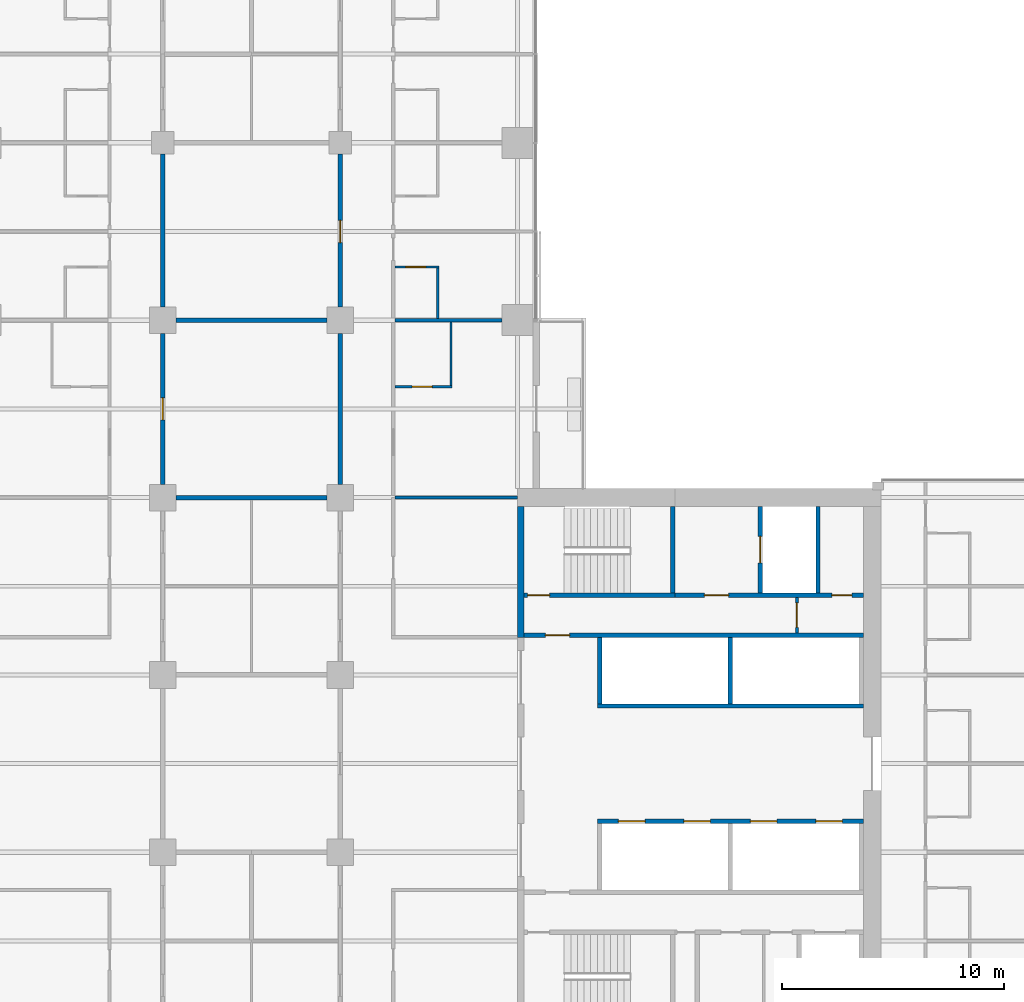
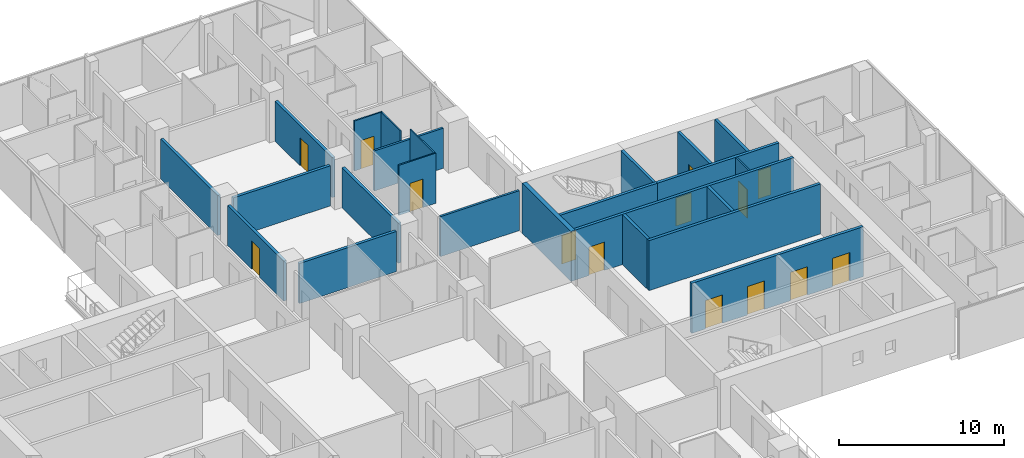
# One storey, part 21 of 29: 24 walls, 14 doors, 14 openings.
"""IFC4 building model written with IfcOpenShell, lengths in metres."""

from ifc_helpers import new_model, si_unit, direction, frame, frame_2d, origin, place, context, subcontext, project, spatial, rectangle, extrude, material, layer, layer_set, type_object, element, fill, save


model = new_model("IFC4")

# Units and contexts
model_context = context("Model", 3, precision=1e-05, world=origin(), true_north=direction((0.0, 1.0)))
body_context = subcontext(model_context, "Body", "Model", "MODEL_VIEW")
ifc_project = project(units=[si_unit("LENGTHUNIT", "METRE"), si_unit("AREAUNIT", "SQUARE_METRE"), si_unit("VOLUMEUNIT", "CUBIC_METRE"), si_unit("PLANEANGLEUNIT", "RADIAN"), si_unit("MASSUNIT", "GRAM", prefix="KILO")], contexts=[model_context])

# Site, building, storey
site_placement = place(None, origin())
site = spatial("IfcSite", under=ifc_project, at=site_placement, CompositionType="ELEMENT")
building_placement = place(site_placement, origin())
building = spatial("IfcBuilding", under=site, at=building_placement, Name="Crosswind Convention Tower", CompositionType="ELEMENT")
storey_placement = place(building_placement, frame((0.0, 0.0, 60.89990234375)))
storey = spatial("IfcBuildingStorey", under=building, at=storey_placement, Name="L09", CompositionType="ELEMENT", Elevation=60.89990234375)

# Walls
ifc_material_1 = material(Name="Concrete C50/60", Category="concrete")
ifc_layer_1 = layer(ifc_material_1, 0.300048828125)
ifc_layer_set_1 = layer_set([ifc_layer_1], Name="Concrete C50/60")
wall_type_1 = type_object("IfcWallType", Name="Concrete inner core wall 300", PredefinedType="SHEAR", material=ifc_layer_set_1)
wall_1_placement = place(storey_placement, frame((137.14990234375, 105.699951171875, 0.0), z_axis=(0.0, 0.0, 1.0), x_axis=(0.0, 1.0, 0.0)))
element("IfcWall", 1, at=wall_1_placement, inside=storey, type_object=wall_type_1, Name="Wall EP E L09", PredefinedType="SHEAR", context=body_context, shape_type="SweptSolid", body=[
    extrude(rectangle(XDim=5.900146484375, YDim=0.300048828125, at=frame_2d((2.9501953125, 0.0))), origin(), (0.0, 0.0, 1.0), 3.7001953125),
])
ifc_layer_2 = layer(ifc_material_1, 0.199951171875)
ifc_layer_set_2 = layer_set([ifc_layer_2], Name="Concrete C50/60")
wall_type_2 = type_object("IfcWallType", Name="Concrete shaft and stair wall 200", PredefinedType="SHEAR", material=ifc_layer_set_2)
for number, where, z_axis, x_axis, name in (
    (2, (140.699951171875, 102.699951171875, 0.0), (0.0, 0.0, 1.0), (0.0, 1.0, 0.0), "Wall RPEND E L09"),
    (3, (146.60009765625, 102.699951171875, 0.0), (0.0, 0.0, 1.0), (0.0, 1.0, 0.0), "Wall RPSEP E L09"),
):
    element("IfcWall", number, at=place(storey_placement, frame(where, z_axis=z_axis, x_axis=x_axis)), inside=storey, type_object=wall_type_2, Name=name, PredefinedType="SHEAR", context=body_context, shape_type="SweptSolid", body=[
        extrude(rectangle(XDim=3.0, YDim=0.199951171875, at=frame_2d((1.5, 0.0))), origin(), (0.0, 0.0, 1.0), 3.7001953125),
    ])
wall_2_placement = place(storey_placement, frame((140.60009765625, 102.60009765625, 0.0), z_axis=(0.0, 0.0, 1.0), x_axis=(1.0, 0.0, 0.0)))
element("IfcWall", 4, at=wall_2_placement, inside=storey, type_object=wall_type_2, Name="Wall RPFRONT E L09", PredefinedType="SHEAR", context=body_context, shape_type="SweptSolid", body=[
    extrude(rectangle(XDim=12.0, YDim=0.199951171875, at=frame_2d((6.0, 0.0))), origin(), (0.0, 0.0, 1.0), 3.7001953125),
])

# Wall, openings, doors
wall_3_placement = place(storey_placement, frame((140.60009765625, 97.39990234375, 0.0), z_axis=(0.0, 0.0, 1.0), x_axis=(1.0, 0.0, 0.0)))
wall_3 = element("IfcWall", 5, at=wall_3_placement, inside=storey, type_object=wall_type_2, Name="Wall RMFRONT E L09", PredefinedType="SHEAR", context=body_context, shape_type="SweptSolid", body=[
    extrude(rectangle(XDim=12.0, YDim=0.199951171875, at=frame_2d((6.0, 0.0))), origin(), (0.0, 0.0, 1.0), 3.7001953125),
])
opening_1_placement = place(wall_3_placement, frame((0.949951171875, 0.0, 0.0)))
opening_1 = element("IfcOpeningElement", 6, at=opening_1_placement, cuts=wall_3, Name="Opening LD1", PredefinedType="OPENING", context=body_context, shape_type="SweptSolid", body=[
    extrude(rectangle(XDim=1.199951171875, YDim=2.10009765625, at=frame_2d((0.60009765625, 1.050048828125))), frame((0.0, 0.10986328125, 0.0), z_axis=(0.0, -1.0, 0.0), x_axis=(1.0, 0.0, 0.0)), (0.0, 0.0, 1.0), 0.219970703125),
])
opening_2_placement = place(wall_3_placement, frame((3.89990234375, 0.0, 0.0)))
opening_2 = element("IfcOpeningElement", 7, at=opening_2_placement, cuts=wall_3, Name="Opening LD1", PredefinedType="OPENING", context=body_context, shape_type="SweptSolid", body=[
    extrude(rectangle(XDim=1.199951171875, YDim=2.10009765625, at=frame_2d((0.60009765625, 1.050048828125))), frame((0.0, 0.10986328125, 0.0), z_axis=(0.0, -1.0, 0.0), x_axis=(1.0, 0.0, 0.0)), (0.0, 0.0, 1.0), 0.219970703125),
])
opening_3_placement = place(wall_3_placement, frame((6.89990234375, 0.0, 0.0)))
opening_3 = element("IfcOpeningElement", 8, at=opening_3_placement, cuts=wall_3, Name="Opening LD1", PredefinedType="OPENING", context=body_context, shape_type="SweptSolid", body=[
    extrude(rectangle(XDim=1.199951171875, YDim=2.10009765625, at=frame_2d((0.60009765625, 1.050048828125))), frame((0.0, 0.10986328125, 0.0), z_axis=(0.0, -1.0, 0.0), x_axis=(1.0, 0.0, 0.0)), (0.0, 0.0, 1.0), 0.219970703125),
])
opening_4_placement = place(wall_3_placement, frame((9.85009765625, 0.0, 0.0)))
opening_4 = element("IfcOpeningElement", 9, at=opening_4_placement, cuts=wall_3, Name="Opening LD1", PredefinedType="OPENING", context=body_context, shape_type="SweptSolid", body=[
    extrude(rectangle(XDim=1.199951171875, YDim=2.10009765625, at=frame_2d((0.60009765625, 1.050048828125))), frame((0.0, 0.10986328125, 0.0), z_axis=(0.0, -1.0, 0.0), x_axis=(1.0, 0.0, 0.0)), (0.0, 0.0, 1.0), 0.219970703125),
])
ifc_material_2 = material(Name="Stainless steel", Category="steel")
door_type_1 = type_object("IfcDoorType", Name="Lift landing door 1200x2100", OperationType="DOUBLE_DOOR_SLIDING", PredefinedType="DOOR", material=ifc_material_2)
door_1_placement = place(opening_1_placement, origin())
door_1 = element("IfcDoor", 10, at=door_1_placement, inside=storey, type_object=door_type_1, Name="Landing door H1 L09", ObjectType="LD1", OperationType="DOUBLE_DOOR_SLIDING", OverallHeight=2.10009765625, OverallWidth=1.199951171875, PredefinedType="DOOR", context=body_context, shape_type="SweptSolid", body=[
    extrude(rectangle(XDim=1.199951171875, YDim=2.10009765625, at=frame_2d((0.60009765625, 1.050048828125))), frame((0.0, 0.02490234375, 0.0), z_axis=(0.0, -1.0, 0.0), x_axis=(1.0, 0.0, 0.0)), (0.0, 0.0, 1.0), 0.050048828125),
])
fill(opening_1, door_1)
door_2_placement = place(opening_2_placement, origin())
door_2 = element("IfcDoor", 11, at=door_2_placement, inside=storey, type_object=door_type_1, Name="Landing door H2 L09", ObjectType="LD1", OperationType="DOUBLE_DOOR_SLIDING", OverallHeight=2.10009765625, OverallWidth=1.199951171875, PredefinedType="DOOR", context=body_context, shape_type="SweptSolid", body=[
    extrude(rectangle(XDim=1.199951171875, YDim=2.10009765625, at=frame_2d((0.60009765625, 1.050048828125))), frame((0.0, 0.02490234375, 0.0), z_axis=(0.0, -1.0, 0.0), x_axis=(1.0, 0.0, 0.0)), (0.0, 0.0, 1.0), 0.050048828125),
])
fill(opening_2, door_2)
door_3_placement = place(opening_3_placement, origin())
door_3 = element("IfcDoor", 12, at=door_3_placement, inside=storey, type_object=door_type_1, Name="Landing door H3 L09", ObjectType="LD1", OperationType="DOUBLE_DOOR_SLIDING", OverallHeight=2.10009765625, OverallWidth=1.199951171875, PredefinedType="DOOR", context=body_context, shape_type="SweptSolid", body=[
    extrude(rectangle(XDim=1.199951171875, YDim=2.10009765625, at=frame_2d((0.60009765625, 1.050048828125))), frame((0.0, 0.02490234375, 0.0), z_axis=(0.0, -1.0, 0.0), x_axis=(1.0, 0.0, 0.0)), (0.0, 0.0, 1.0), 0.050048828125),
])
fill(opening_3, door_3)
door_4_placement = place(opening_4_placement, origin())
door_4 = element("IfcDoor", 13, at=door_4_placement, inside=storey, type_object=door_type_1, Name="Landing door H4 L09", ObjectType="LD1", OperationType="DOUBLE_DOOR_SLIDING", OverallHeight=2.10009765625, OverallWidth=1.199951171875, PredefinedType="DOOR", context=body_context, shape_type="SweptSolid", body=[
    extrude(rectangle(XDim=1.199951171875, YDim=2.10009765625, at=frame_2d((0.60009765625, 1.050048828125))), frame((0.0, 0.02490234375, 0.0), z_axis=(0.0, -1.0, 0.0), x_axis=(1.0, 0.0, 0.0)), (0.0, 0.0, 1.0), 0.050048828125),
])
fill(opening_4, door_4)

# Wall, opening, door
wall_4_placement = place(storey_placement, frame((137.300048828125, 105.800048828125, 0.0), z_axis=(0.0, 0.0, 1.0), x_axis=(1.0, 0.0, 0.0)))
wall_4 = element("IfcWall", 14, at=wall_4_placement, inside=storey, type_object=wall_type_2, Name="Wall HP E L09", PredefinedType="SHEAR", context=body_context, shape_type="SweptSolid", body=[
    extrude(rectangle(XDim=15.300048828125, YDim=0.199951171875, at=frame_2d((7.64990234375, 0.0))), origin(), (0.0, 0.0, 1.0), 3.7001953125),
])
opening_5_placement = place(wall_4_placement, frame((0.949951171875, 0.0, 0.0)))
opening_5 = element("IfcOpeningElement", 15, at=opening_5_placement, cuts=wall_4, Name="Opening D104", PredefinedType="OPENING", context=body_context, shape_type="SweptSolid", body=[
    extrude(rectangle(XDim=1.10009765625, YDim=2.10009765625, at=frame_2d((0.550048828125, 1.050048828125))), frame((0.0, 0.10986328125, 0.0), z_axis=(0.0, -1.0, 0.0), x_axis=(1.0, 0.0, 0.0)), (0.0, 0.0, 1.0), 0.219970703125),
])
ifc_material_3 = material(Name="Steel fire door", Category="steel")
door_type_2 = type_object("IfcDoorType", Name="Fire-rated single door 1100x2100", OperationType="NOTDEFINED", PredefinedType="DOOR", material=ifc_material_3)
door_5_placement = place(opening_5_placement, origin())
door_5 = element("IfcDoor", 16, at=door_5_placement, inside=storey, type_object=door_type_2, Name="Corridor door L09", ObjectType="D104", OperationType="SINGLE_SWING_LEFT", OverallHeight=2.10009765625, OverallWidth=1.10009765625, PredefinedType="DOOR", context=body_context, shape_type="SweptSolid", body=[
    extrude(rectangle(XDim=1.10009765625, YDim=2.10009765625, at=frame_2d((0.550048828125, 1.050048828125))), frame((0.0, 0.02490234375, 0.0), z_axis=(0.0, -1.0, 0.0), x_axis=(1.0, 0.0, 0.0)), (0.0, 0.0, 1.0), 0.050048828125),
])
fill(opening_5, door_5)

# Wall
wall_5_placement = place(storey_placement, frame((144.0, 107.699951171875, 0.0), z_axis=(0.0, 0.0, 1.0), x_axis=(0.0, 1.0, 0.0)))
element("IfcWall", 17, at=wall_5_placement, inside=storey, type_object=wall_type_2, Name="Wall PSE E L09", PredefinedType="SHEAR", context=body_context, shape_type="SweptSolid", body=[
    extrude(rectangle(XDim=3.900146484375, YDim=0.199951171875, at=frame_2d((1.9501953125, 0.0))), origin(), (0.0, 0.0, 1.0), 3.7001953125),
])

# Wall, opening, door
wall_6_placement = place(storey_placement, frame((147.949951171875, 107.699951171875, 0.0), z_axis=(0.0, 0.0, 1.0), x_axis=(0.0, 1.0, 0.0)))
wall_6 = element("IfcWall", 18, at=wall_6_placement, inside=storey, type_object=wall_type_2, Name="Wall PFLW E L09", PredefinedType="SHEAR", context=body_context, shape_type="SweptSolid", body=[
    extrude(rectangle(XDim=3.900146484375, YDim=0.199951171875, at=frame_2d((1.9501953125, 0.0))), origin(), (0.0, 0.0, 1.0), 3.7001953125),
])
opening_6_placement = place(wall_6_placement, frame((1.35009765625, 0.0, 0.0)))
opening_6 = element("IfcOpeningElement", 19, at=opening_6_placement, cuts=wall_6, Name="Opening LD1", PredefinedType="OPENING", context=body_context, shape_type="SweptSolid", body=[
    extrude(rectangle(XDim=1.199951171875, YDim=2.10009765625, at=frame_2d((0.60009765625, 1.050048828125))), frame((0.0, 0.10986328125, 0.0), z_axis=(0.0, -1.0, 0.0), x_axis=(1.0, 0.0, 0.0)), (0.0, 0.0, 1.0), 0.219970703125),
])
door_6_placement = place(opening_6_placement, origin())
door_6 = element("IfcDoor", 20, at=door_6_placement, inside=storey, type_object=door_type_1, Name="Landing door FF1 L09", ObjectType="LD1", OperationType="DOUBLE_DOOR_SLIDING", OverallHeight=2.10009765625, OverallWidth=1.199951171875, PredefinedType="DOOR", context=body_context, shape_type="SweptSolid", body=[
    extrude(rectangle(XDim=1.199951171875, YDim=2.10009765625, at=frame_2d((0.60009765625, 1.050048828125))), frame((0.0, 0.02490234375, 0.0), z_axis=(0.0, -1.0, 0.0), x_axis=(1.0, 0.0, 0.0)), (0.0, 0.0, 1.0), 0.050048828125),
])
fill(opening_6, door_6)

# Wall
wall_7_placement = place(storey_placement, frame((150.550048828125, 107.699951171875, 0.0), z_axis=(0.0, 0.0, 1.0), x_axis=(0.0, 1.0, 0.0)))
element("IfcWall", 21, at=wall_7_placement, inside=storey, type_object=wall_type_2, Name="Wall PFSE E L09", PredefinedType="SHEAR", context=body_context, shape_type="SweptSolid", body=[
    extrude(rectangle(XDim=3.900146484375, YDim=0.199951171875, at=frame_2d((1.9501953125, 0.0))), origin(), (0.0, 0.0, 1.0), 3.7001953125),
])

# Wall, opening, door
wall_8_placement = place(storey_placement, frame((137.300048828125, 107.60009765625, 0.0), z_axis=(0.0, 0.0, 1.0), x_axis=(1.0, 0.0, 0.0)))
wall_8 = element("IfcWall", 22, at=wall_8_placement, inside=storey, type_object=wall_type_2, Name="Wall PCW E L09", PredefinedType="SHEAR", context=body_context, shape_type="SweptSolid", body=[
    extrude(rectangle(XDim=6.800048828125, YDim=0.199951171875, at=frame_2d((3.39990234375, 0.0))), origin(), (0.0, 0.0, 1.0), 3.7001953125),
])
opening_7_placement = place(wall_8_placement, frame((0.14990234375, 0.0, 0.0)))
opening_7 = element("IfcOpeningElement", 23, at=opening_7_placement, cuts=wall_8, Name="Opening D103", PredefinedType="OPENING", context=body_context, shape_type="SweptSolid", body=[
    extrude(rectangle(XDim=1.0, YDim=2.10009765625, at=frame_2d((0.5, 1.050048828125))), frame((0.0, 0.10986328125, 0.0), z_axis=(0.0, -1.0, 0.0), x_axis=(1.0, 0.0, 0.0)), (0.0, 0.0, 1.0), 0.219970703125),
])
door_type_3 = type_object("IfcDoorType", Name="Fire-rated single door 1000x2100", OperationType="NOTDEFINED", PredefinedType="DOOR", material=ifc_material_3)
door_7_placement = place(opening_7_placement, origin())
door_7 = element("IfcDoor", 24, at=door_7_placement, inside=storey, type_object=door_type_3, Name="Stair ST1 door L09", ObjectType="D103", OperationType="SINGLE_SWING_LEFT", OverallHeight=2.10009765625, OverallWidth=1.0, PredefinedType="DOOR", context=body_context, shape_type="SweptSolid", body=[
    extrude(rectangle(XDim=1.0, YDim=2.10009765625, at=frame_2d((0.5, 1.050048828125))), frame((0.0, 0.02490234375, 0.0), z_axis=(0.0, -1.0, 0.0), x_axis=(1.0, 0.0, 0.0)), (0.0, 0.0, 1.0), 0.050048828125),
])
fill(opening_7, door_7)

# Wall, openings, doors
wall_9_placement = place(storey_placement, frame((144.10009765625, 107.60009765625, 0.0), z_axis=(0.0, 0.0, 1.0), x_axis=(1.0, 0.0, 0.0)))
wall_9 = element("IfcWall", 25, at=wall_9_placement, inside=storey, type_object=wall_type_2, Name="Wall PCX E L09", PredefinedType="SHEAR", context=body_context, shape_type="SweptSolid", body=[
    extrude(rectangle(XDim=8.5, YDim=0.199951171875, at=frame_2d((4.25, 0.0))), origin(), (0.0, 0.0, 1.0), 3.7001953125),
])
opening_8_placement = place(wall_9_placement, frame((1.324951171875, 0.0, 0.0)))
opening_8 = element("IfcOpeningElement", 26, at=opening_8_placement, cuts=wall_9, Name="Opening D104", PredefinedType="OPENING", context=body_context, shape_type="SweptSolid", body=[
    extrude(rectangle(XDim=1.10009765625, YDim=2.10009765625, at=frame_2d((0.550048828125, 1.050048828125))), frame((0.0, 0.10986328125, 0.0), z_axis=(0.0, -1.0, 0.0), x_axis=(1.0, 0.0, 0.0)), (0.0, 0.0, 1.0), 0.219970703125),
])
opening_9_placement = place(wall_9_placement, frame((7.074951171875, 0.0, 0.0)))
opening_9 = element("IfcOpeningElement", 27, at=opening_9_placement, cuts=wall_9, Name="Opening D106", PredefinedType="OPENING", context=body_context, shape_type="SweptSolid", body=[
    extrude(rectangle(XDim=0.89990234375, YDim=2.10009765625, at=frame_2d((0.449951171875, 1.050048828125))), frame((0.0, 0.10986328125, 0.0), z_axis=(0.0, -1.0, 0.0), x_axis=(1.0, 0.0, 0.0)), (0.0, 0.0, 1.0), 0.219970703125),
])
door_8_placement = place(opening_8_placement, origin())
door_8 = element("IfcDoor", 28, at=door_8_placement, inside=storey, type_object=door_type_2, Name="Fire-fighting lobby FF1 door L09", ObjectType="D104", OperationType="SINGLE_SWING_RIGHT", OverallHeight=2.10009765625, OverallWidth=1.10009765625, PredefinedType="DOOR", context=body_context, shape_type="SweptSolid", body=[
    extrude(rectangle(XDim=1.10009765625, YDim=2.10009765625, at=frame_2d((0.550048828125, 1.050048828125))), frame((0.0, 0.02490234375, 0.0), z_axis=(0.0, -1.0, 0.0), x_axis=(1.0, 0.0, 0.0)), (0.0, 0.0, 1.0), 0.050048828125),
])
fill(opening_8, door_8)
ifc_material_4 = material(Name="Timber door", Category="wood")
door_type_4 = type_object("IfcDoorType", Name="Single leaf door 900x2100", OperationType="NOTDEFINED", PredefinedType="DOOR", material=ifc_material_4)
door_9_placement = place(opening_9_placement, origin())
door_9 = element("IfcDoor", 29, at=door_9_placement, inside=storey, type_object=door_type_4, Name="Door to telecoms room L09", ObjectType="D106", OperationType="SINGLE_SWING_RIGHT", OverallHeight=2.10009765625, OverallWidth=0.89990234375, PredefinedType="DOOR", context=body_context, shape_type="SweptSolid", body=[
    extrude(rectangle(XDim=0.89990234375, YDim=2.10009765625, at=frame_2d((0.449951171875, 1.050048828125))), frame((0.0, 0.02490234375, 0.0), z_axis=(0.0, -1.0, 0.0), x_axis=(1.0, 0.0, 0.0)), (0.0, 0.0, 1.0), 0.050048828125),
])
fill(opening_9, door_9)

# Wall, opening, door
ifc_material_5 = material(Name="Gypsum plasterboard partition", Category="gypsum")
ifc_layer_3 = layer(ifc_material_5, 0.125)
ifc_layer_set_3 = layer_set([ifc_layer_3], Name="Drywall partition wall 125")
wall_type_3 = type_object("IfcWallType", Name="Drywall partition wall 125", PredefinedType="PARTITIONING", material=ifc_layer_set_3)
wall_10_placement = place(storey_placement, frame((149.60009765625, 105.89990234375, 0.0), z_axis=(0.0, 0.0, 1.0), x_axis=(0.0, 1.0, 0.0)))
wall_10 = element("IfcWall", 30, at=wall_10_placement, inside=storey, type_object=wall_type_3, Name="Wall PXC1 E L09", PredefinedType="PARTITIONING", context=body_context, shape_type="SweptSolid", body=[
    extrude(rectangle(XDim=1.60009765625, YDim=0.125, at=frame_2d((0.800048828125, 0.0))), origin(), (0.0, 0.0, 1.0), 3.7001953125),
])
opening_10_placement = place(wall_10_placement, frame((0.25, 0.0, 0.0)))
opening_10 = element("IfcOpeningElement", 31, at=opening_10_placement, cuts=wall_10, Name="Opening D104", PredefinedType="OPENING", context=body_context, shape_type="SweptSolid", body=[
    extrude(rectangle(XDim=1.10009765625, YDim=2.10009765625, at=frame_2d((0.550048828125, 1.050048828125))), frame((0.0, 0.072509765625, 0.0), z_axis=(0.0, -1.0, 0.0), x_axis=(1.0, 0.0, 0.0)), (0.0, 0.0, 1.0), 0.14501953125),
])
door_10_placement = place(opening_10_placement, origin())
door_10 = element("IfcDoor", 32, at=door_10_placement, inside=storey, type_object=door_type_2, Name="Corridor smoke door L09", ObjectType="D104", OperationType="SINGLE_SWING_RIGHT", OverallHeight=2.10009765625, OverallWidth=1.10009765625, PredefinedType="DOOR", context=body_context, shape_type="SweptSolid", body=[
    extrude(rectangle(XDim=1.10009765625, YDim=2.10009765625, at=frame_2d((0.550048828125, 1.050048828125))), frame((0.0, 0.02490234375, 0.0), z_axis=(0.0, -1.0, 0.0), x_axis=(1.0, 0.0, 0.0)), (0.0, 0.0, 1.0), 0.050048828125),
])
fill(opening_10, door_10)

# Walls
ifc_material_6 = material(Name="Acoustic plasterboard partition", Category="gypsum")
ifc_layer_4 = layer(ifc_material_6, 0.14990234375)
ifc_layer_set_4 = layer_set([ifc_layer_4], Name="GUEST ROOM WALL 150")
wall_type_4 = type_object("IfcWallType", Name="GUEST ROOM WALL 150", PredefinedType="PARTITIONING", material=ifc_layer_set_4)
wall_11_placement = place(storey_placement, frame((131.47509765625, 112.0, 0.0), z_axis=(0.0, 0.0, 1.0), x_axis=(1.0, 0.0, 0.0)))
element("IfcWall", 33, at=wall_11_placement, inside=storey, type_object=wall_type_4, Name="Guest Room Wall 63", PredefinedType="PARTITIONING", context=body_context, shape_type="SweptSolid", body=[
    extrude(rectangle(XDim=5.52490234375, YDim=0.14990234375, at=frame_2d((2.762451171875, 0.0))), origin(), (0.0, 0.0, 1.0), 2.95654296875),
])
wall_12_placement = place(storey_placement, frame((131.47509765625, 120.0, 0.0), z_axis=(0.0, 0.0, 1.0), x_axis=(1.0, 0.0, 0.0)))
element("IfcWall", 34, at=wall_12_placement, inside=storey, type_object=wall_type_4, Name="Guest Room Wall 68", PredefinedType="PARTITIONING", context=body_context, shape_type="SweptSolid", body=[
    extrude(rectangle(XDim=4.824951171875, YDim=0.14990234375, at=frame_2d((2.41259765625, 0.0))), origin(), (0.0, 0.0, 1.0), 2.9599609375),
])
ifc_material_7 = material(Name="Double plasterboard partition", Category="gypsum")
ifc_layer_5 = layer(ifc_material_7, 0.199951171875)
ifc_layer_set_5 = layer_set([ifc_layer_5], Name="HALL WALL 200")
wall_type_5 = type_object("IfcWallType", Name="HALL WALL 200", PredefinedType="PARTITIONING", material=ifc_layer_set_5)
for number, where, z_axis, x_axis, name in (
    (35, (121.60009765625, 112.0, 0.0), (0.0, 0.0, 1.0), (1.0, 0.0, 0.0), "Hall Wall 62"),
    (36, (121.60009765625, 120.0, 0.0), (0.0, 0.0, 1.0), (1.0, 0.0, 0.0), "Hall Wall 67"),
):
    element("IfcWall", number, at=place(storey_placement, frame(where, z_axis=z_axis, x_axis=x_axis)), inside=storey, type_object=wall_type_5, Name=name, PredefinedType="PARTITIONING", context=body_context, shape_type="SweptSolid", body=[
        extrude(rectangle(XDim=6.7998046875, YDim=0.199951171875, at=frame_2d((3.39990234375, 0.0))), origin(), (0.0, 0.0, 1.0), 2.9599609375),
    ])

# Wall, opening, door
wall_13_placement = place(storey_placement, frame((121.0, 112.60009765625, 0.0), z_axis=(0.0, 0.0, 1.0), x_axis=(0.0, 1.0, 0.0)))
wall_13 = element("IfcWall", 37, at=wall_13_placement, inside=storey, type_object=wall_type_5, Name="Hall Wall 115", PredefinedType="PARTITIONING", context=body_context, shape_type="SweptSolid", body=[
    extrude(rectangle(XDim=6.7998046875, YDim=0.199951171875, at=frame_2d((3.39990234375, 0.0))), origin(), (0.0, 0.0, 1.0), 2.9599609375),
])
opening_11_placement = place(wall_13_placement, frame((2.89990234375, 0.0, 0.0)))
opening_11 = element("IfcOpeningElement", 38, at=opening_11_placement, cuts=wall_13, Name="Opening 09.084", PredefinedType="OPENING", context=body_context, shape_type="SweptSolid", body=[
    extrude(rectangle(XDim=1.0, YDim=2.10009765625, at=frame_2d((0.5, 1.050048828125))), frame((0.0, 0.10986328125, 0.0), z_axis=(0.0, -1.0, 0.0), x_axis=(1.0, 0.0, 0.0)), (0.0, 0.0, 1.0), 0.219970703125),
])
ifc_material_8 = material(Name="Timber fire door", Category="wood")
door_type_5 = type_object("IfcDoorType", Name="MEETING ROOM DOOR 1000X2100", OperationType="NOTDEFINED", PredefinedType="DOOR", material=ifc_material_8)
door_11_placement = place(opening_11_placement, origin())
door_11 = element("IfcDoor", 39, at=door_11_placement, inside=storey, type_object=door_type_5, Name="Door 09.084", ObjectType="D13", OperationType="SINGLE_SWING_RIGHT", OverallHeight=2.10009765625, OverallWidth=1.0, PredefinedType="DOOR", context=body_context, shape_type="SweptSolid", body=[
    extrude(rectangle(XDim=1.0, YDim=2.10009765625, at=frame_2d((0.5, 1.050048828125))), frame((0.0, 0.02490234375, 0.0), z_axis=(0.0, -1.0, 0.0), x_axis=(1.0, 0.0, 0.0)), (0.0, 0.0, 1.0), 0.050048828125),
])
fill(opening_11, door_11)

# Walls
wall_14_placement = place(storey_placement, frame((121.0, 120.60009765625, 0.0), z_axis=(0.0, 0.0, 1.0), x_axis=(0.0, 1.0, 0.0)))
element("IfcWall", 40, at=wall_14_placement, inside=storey, type_object=wall_type_5, Name="Hall Wall 116", PredefinedType="PARTITIONING", context=body_context, shape_type="SweptSolid", body=[
    extrude(rectangle(XDim=6.89990234375, YDim=0.199951171875, at=frame_2d((3.449951171875, 0.0))), origin(), (0.0, 0.0, 1.0), 2.9599609375),
])
wall_15_placement = place(storey_placement, frame((129.0, 112.60009765625, 0.0), z_axis=(0.0, 0.0, 1.0), x_axis=(0.0, 1.0, 0.0)))
element("IfcWall", 41, at=wall_15_placement, inside=storey, type_object=wall_type_5, Name="Hall Wall 135", PredefinedType="PARTITIONING", context=body_context, shape_type="SweptSolid", body=[
    extrude(rectangle(XDim=6.7998046875, YDim=0.199951171875, at=frame_2d((3.39990234375, 0.0))), origin(), (0.0, 0.0, 1.0), 2.9599609375),
])

# Wall, opening, door
wall_16_placement = place(storey_placement, frame((129.0, 120.60009765625, 0.0), z_axis=(0.0, 0.0, 1.0), x_axis=(0.0, 1.0, 0.0)))
wall_16 = element("IfcWall", 42, at=wall_16_placement, inside=storey, type_object=wall_type_5, Name="Hall Wall 136", PredefinedType="PARTITIONING", context=body_context, shape_type="SweptSolid", body=[
    extrude(rectangle(XDim=6.89990234375, YDim=0.199951171875, at=frame_2d((3.449951171875, 0.0))), origin(), (0.0, 0.0, 1.0), 2.9599609375),
])
opening_12_placement = place(wall_16_placement, frame((2.89990234375, 0.0, 0.0)))
opening_12 = element("IfcOpeningElement", 43, at=opening_12_placement, cuts=wall_16, Name="Opening 09.085", PredefinedType="OPENING", context=body_context, shape_type="SweptSolid", body=[
    extrude(rectangle(XDim=1.0, YDim=2.10009765625, at=frame_2d((0.5, 1.050048828125))), frame((0.0, 0.10986328125, 0.0), z_axis=(0.0, -1.0, 0.0), x_axis=(1.0, 0.0, 0.0)), (0.0, 0.0, 1.0), 0.219970703125),
])
door_12_placement = place(opening_12_placement, frame((1.0, 0.0, 0.0), z_axis=(0.0, 0.0, 1.0), x_axis=(-1.0, 0.0, 0.0)))
door_12 = element("IfcDoor", 44, at=door_12_placement, inside=storey, type_object=door_type_5, Name="Door 09.085", ObjectType="D13", OperationType="SINGLE_SWING_RIGHT", OverallHeight=2.10009765625, OverallWidth=1.0, PredefinedType="DOOR", context=body_context, shape_type="SweptSolid", body=[
    extrude(rectangle(XDim=1.0, YDim=2.10009765625, at=frame_2d((0.5, 1.050048828125))), frame((0.0, 0.02490234375, 0.0), z_axis=(0.0, -1.0, 0.0), x_axis=(1.0, 0.0, 0.0)), (0.0, 0.0, 1.0), 0.050048828125),
])
fill(opening_12, door_12)

ifc_material_9 = material(Name="Water-resistant plasterboard partition", Category="gypsum")
ifc_layer_6 = layer(ifc_material_9, 0.10009765625)
ifc_layer_set_6 = layer_set([ifc_layer_6], Name="WET ROOM PARTITION 100")
wall_type_6 = type_object("IfcWallType", Name="WET ROOM PARTITION 100", PredefinedType="PLUMBINGWALL", material=ifc_layer_set_6)
wall_17_placement = place(storey_placement, frame((131.47509765625, 117.0, 0.0), z_axis=(0.0, 0.0, 1.0), x_axis=(1.0, 0.0, 0.0)))
wall_17 = element("IfcWall", 45, at=wall_17_placement, inside=storey, type_object=wall_type_6, Name="Wet Room Partition 65", PredefinedType="PLUMBINGWALL", context=body_context, shape_type="SweptSolid", body=[
    extrude(rectangle(XDim=2.574951171875, YDim=0.10009765625, at=frame_2d((1.28759765625, 0.0))), origin(), (0.0, 0.0, 1.0), 3.7001953125),
])
opening_13_placement = place(wall_17_placement, frame((0.77490234375, 0.0, 0.0)))
opening_13 = element("IfcOpeningElement", 46, at=opening_13_placement, cuts=wall_17, Name="Opening 09.006", PredefinedType="OPENING", context=body_context, shape_type="SweptSolid", body=[
    extrude(rectangle(XDim=0.89990234375, YDim=2.10009765625, at=frame_2d((0.449951171875, 1.050048828125))), frame((0.0, 0.06005859375, 0.0), z_axis=(0.0, -1.0, 0.0), x_axis=(1.0, 0.0, 0.0)), (0.0, 0.0, 1.0), 0.1201171875),
])
door_type_6 = type_object("IfcDoorType", Name="EN-SUITE DOOR 900X2100", OperationType="NOTDEFINED", PredefinedType="DOOR", material=ifc_material_4)
door_13_placement = place(opening_13_placement, origin())
door_13 = element("IfcDoor", 47, at=door_13_placement, inside=storey, type_object=door_type_6, Name="Door 09.006", ObjectType="D2", OperationType="SINGLE_SWING_RIGHT", OverallHeight=2.10009765625, OverallWidth=0.89990234375, PredefinedType="DOOR", context=body_context, shape_type="SweptSolid", body=[
    extrude(rectangle(XDim=0.89990234375, YDim=2.10009765625, at=frame_2d((0.449951171875, 1.050048828125))), frame((0.0, 0.02490234375, 0.0), z_axis=(0.0, -1.0, 0.0), x_axis=(1.0, 0.0, 0.0)), (0.0, 0.0, 1.0), 0.050048828125),
])
fill(opening_13, door_13)

wall_18_placement = place(storey_placement, frame((131.47509765625, 122.39990234375, 0.0), z_axis=(0.0, 0.0, 1.0), x_axis=(1.0, 0.0, 0.0)))
wall_18 = element("IfcWall", 48, at=wall_18_placement, inside=storey, type_object=wall_type_6, Name="Wet Room Partition 70", PredefinedType="PLUMBINGWALL", context=body_context, shape_type="SweptSolid", body=[
    extrude(rectangle(XDim=1.974853515625, YDim=0.10009765625, at=frame_2d((0.9873046875, 0.0))), origin(), (0.0, 0.0, 1.0), 3.7001953125),
])
opening_14_placement = place(wall_18_placement, frame((0.47509765625, 0.0, 0.0)))
opening_14 = element("IfcOpeningElement", 49, at=opening_14_placement, cuts=wall_18, Name="Opening 09.008", PredefinedType="OPENING", context=body_context, shape_type="SweptSolid", body=[
    extrude(rectangle(XDim=0.89990234375, YDim=2.10009765625, at=frame_2d((0.449951171875, 1.050048828125))), frame((0.0, 0.06005859375, 0.0), z_axis=(0.0, -1.0, 0.0), x_axis=(1.0, 0.0, 0.0)), (0.0, 0.0, 1.0), 0.1201171875),
])
door_14_placement = place(opening_14_placement, frame((0.89990234375, 0.0, 0.0), z_axis=(0.0, 0.0, 1.0), x_axis=(-1.0, 0.0, 0.0)))
door_14 = element("IfcDoor", 50, at=door_14_placement, inside=storey, type_object=door_type_6, Name="Door 09.008", ObjectType="D2", OperationType="SINGLE_SWING_LEFT", OverallHeight=2.10009765625, OverallWidth=0.89990234375, PredefinedType="DOOR", context=body_context, shape_type="SweptSolid", body=[
    extrude(rectangle(XDim=0.89990234375, YDim=2.10009765625, at=frame_2d((0.449951171875, 1.050048828125))), frame((0.0, 0.02490234375, 0.0), z_axis=(0.0, -1.0, 0.0), x_axis=(1.0, 0.0, 0.0)), (0.0, 0.0, 1.0), 0.050048828125),
])
fill(opening_14, door_14)

# Walls
wall_19_placement = place(storey_placement, frame((133.39990234375, 120.074951171875, 0.0), z_axis=(0.0, 0.0, 1.0), x_axis=(0.0, 1.0, 0.0)))
element("IfcWall", 51, at=wall_19_placement, inside=storey, type_object=wall_type_6, Name="Wet Room Partition 147", PredefinedType="PLUMBINGWALL", context=body_context, shape_type="SweptSolid", body=[
    extrude(rectangle(XDim=2.275146484375, YDim=0.10009765625, at=frame_2d((1.1376953125, 0.0))), origin(), (0.0, 0.0, 1.0), 3.7001953125),
])
wall_20_placement = place(storey_placement, frame((134.0, 117.050048828125, 0.0), z_axis=(0.0, 0.0, 1.0), x_axis=(0.0, 1.0, 0.0)))
element("IfcWall", 52, at=wall_20_placement, inside=storey, type_object=wall_type_6, Name="Wet Room Partition 152", PredefinedType="PLUMBINGWALL", context=body_context, shape_type="SweptSolid", body=[
    extrude(rectangle(XDim=2.875, YDim=0.10009765625, at=frame_2d((1.4375, 0.0))), origin(), (0.0, 0.0, 1.0), 3.7001953125),
])

save(model, "model.ifc")
